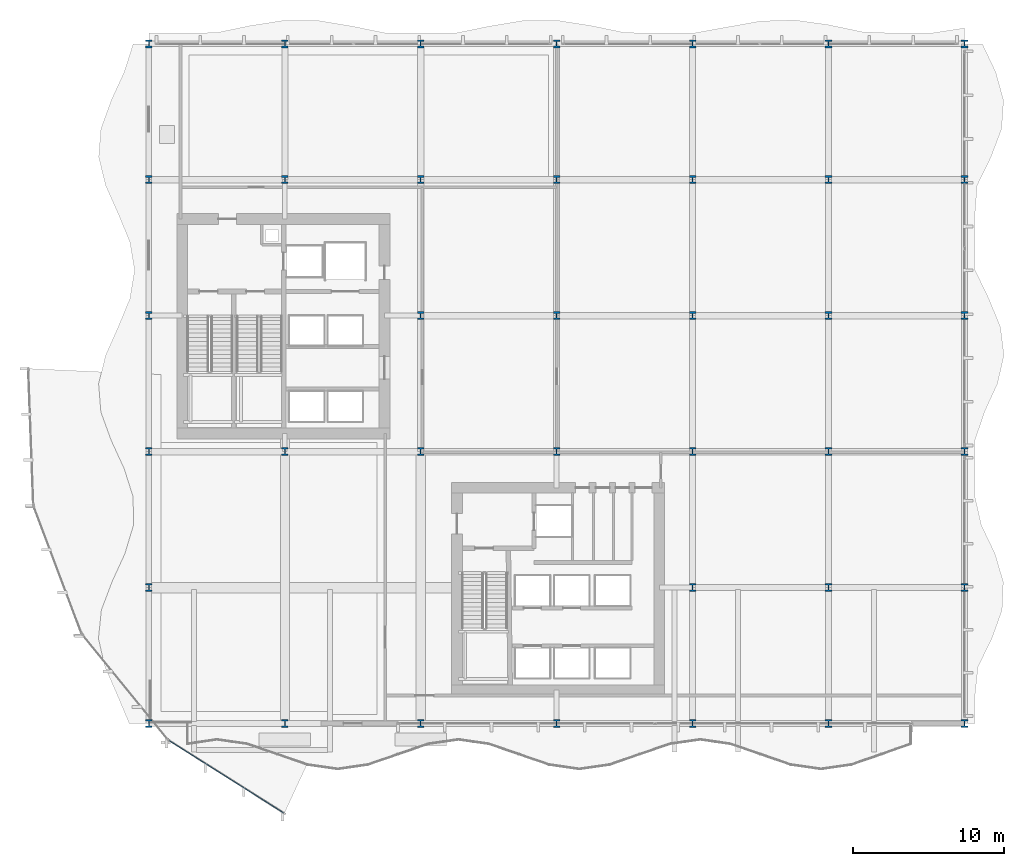
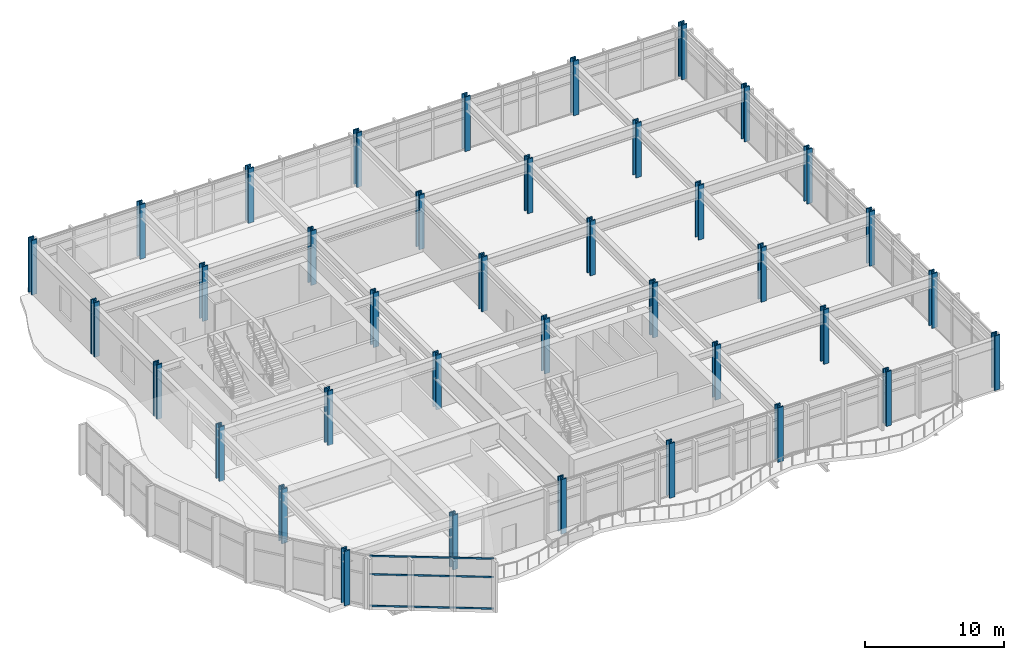
# One storey, part 1 of 31: 38 columns, 3 members, 1 element without a shape of its own.
"""IFC4 building model written with IfcOpenShell, lengths in metres."""

from ifc_helpers import new_model, si_unit, direction, frame, origin, origin_2d, place, context, subcontext, project, spatial, hollow_rectangle, i_section, extrude, material, layer, layer_set, material_profile, profile_set, type_object, element, aggregate, save


model = new_model("IFC4")

# Units and contexts
model_context = context("Model", 3, precision=1e-05, world=origin(), true_north=direction((0.0, 1.0)))
body_context = subcontext(model_context, "Body", "Model", "MODEL_VIEW")
ifc_project = project(units=[si_unit("LENGTHUNIT", "METRE"), si_unit("AREAUNIT", "SQUARE_METRE"), si_unit("VOLUMEUNIT", "CUBIC_METRE"), si_unit("PLANEANGLEUNIT", "RADIAN"), si_unit("MASSUNIT", "GRAM", prefix="KILO")], contexts=[model_context])

# Site, building, storey
site_placement = place(None, origin())
site = spatial("IfcSite", under=ifc_project, at=site_placement, CompositionType="ELEMENT")
building_placement = place(site_placement, origin())
building = spatial("IfcBuilding", under=site, at=building_placement, Name="Solvaryn Broadcast Tower", CompositionType="ELEMENT")
storey_placement = place(building_placement, frame((0.0, 0.0, 26.0)))
storey = spatial("IfcBuildingStorey", under=building, at=storey_placement, Name="L05", CompositionType="ELEMENT", Elevation=26.0)

# Columns
ifc_material_1 = material(Name="Steel ASTM A913 Grade 65", Category="steel")
ifc_material_profile_1 = material_profile(ifc_material_1, i_section(OverallWidth=0.44189453125, OverallDepth=0.531005859375, WebThickness=0.06591796875, FlangeThickness=0.105712890625, FilletRadius=0.014892578125, at=origin_2d()))
ifc_profile_set_1 = profile_set([ifc_material_profile_1], Name="Steel ASTM A913 Grade 65")
column_type_1 = type_object("IfcColumnType", Name="COL-C02E-W14X605", PredefinedType="COLUMN", material=ifc_profile_set_1)
for number, where, z_axis, x_axis, name in (
    (1, (9.0, 9.0, 0.0), (0.0, 0.0, 1.0), (1.0, 0.0, 0.0), "L05 Column (9.0, 9.0)"),
    (2, (9.0, 18.0, 0.0), (0.0, 0.0, 1.0), (1.0, 0.0, 0.0), "L05 Column (9.0, 18.0)"),
    (3, (9.0, 27.0, 0.0), (0.0, 0.0, 1.0), (1.0, 0.0, 0.0), "L05 Column (9.0, 27.0)"),
    (4, (9.0, 36.0, 0.0), (0.0, 0.0, 1.0), (1.0, 0.0, 0.0), "L05 Column (9.0, 36.0)"),
    (5, (9.0, 45.0, 0.0), (0.0, 0.0, 1.0), (1.0, 0.0, 0.0), "L05 Column (9.0, 45.0)"),
    (6, (9.0, 54.0, 0.0), (0.0, 0.0, 1.0), (1.0, 0.0, 0.0), "L05 Column (9.0, 54.0)"),
    (7, (18.0, 9.0, 0.0), (0.0, 0.0, 1.0), (1.0, 0.0, 0.0), "L05 Column (18.0, 9.0)"),
    (8, (18.0, 54.0, 0.0), (0.0, 0.0, 1.0), (1.0, 0.0, 0.0), "L05 Column (18.0, 54.0)"),
    (9, (27.0, 9.0, 0.0), (0.0, 0.0, 1.0), (1.0, 0.0, 0.0), "L05 Column (27.0, 9.0)"),
    (10, (27.0, 54.0, 0.0), (0.0, 0.0, 1.0), (1.0, 0.0, 0.0), "L05 Column (27.0, 54.0)"),
    (11, (36.0, 9.0, 0.0), (0.0, 0.0, 1.0), (1.0, 0.0, 0.0), "L05 Column (36.0, 9.0)"),
    (12, (36.0, 54.0, 0.0), (0.0, 0.0, 1.0), (1.0, 0.0, 0.0), "L05 Column (36.0, 54.0)"),
    (13, (45.0, 9.0, 0.0), (0.0, 0.0, 1.0), (1.0, 0.0, 0.0), "L05 Column (45.0, 9.0)"),
    (14, (45.0, 54.0, 0.0), (0.0, 0.0, 1.0), (1.0, 0.0, 0.0), "L05 Column (45.0, 54.0)"),
    (15, (54.0, 9.0, 0.0), (0.0, 0.0, 1.0), (1.0, 0.0, 0.0), "L05 Column (54.0, 9.0)"),
    (16, (54.0, 54.0, 0.0), (0.0, 0.0, 1.0), (1.0, 0.0, 0.0), "L05 Column (54.0, 54.0)"),
    (17, (63.0, 9.0, 0.0), (0.0, 0.0, 1.0), (1.0, 0.0, 0.0), "L05 Column (63.0, 9.0)"),
    (18, (63.0, 18.0, 0.0), (0.0, 0.0, 1.0), (1.0, 0.0, 0.0), "L05 Column (63.0, 18.0)"),
    (19, (63.0, 27.0, 0.0), (0.0, 0.0, 1.0), (1.0, 0.0, 0.0), "L05 Column (63.0, 27.0)"),
    (20, (63.0, 36.0, 0.0), (0.0, 0.0, 1.0), (1.0, 0.0, 0.0), "L05 Column (63.0, 36.0)"),
    (21, (63.0, 45.0, 0.0), (0.0, 0.0, 1.0), (1.0, 0.0, 0.0), "L05 Column (63.0, 45.0)"),
    (22, (63.0, 54.0, 0.0), (0.0, 0.0, 1.0), (1.0, 0.0, 0.0), "L05 Column (63.0, 54.0)"),
):
    element("IfcColumn", number, at=place(storey_placement, frame(where, z_axis=z_axis, x_axis=x_axis)), inside=storey, type_object=column_type_1, Name=name, PredefinedType="COLUMN", context=body_context, shape_type="SweptSolid", body=[
        extrude(i_section(OverallWidth=0.44189453125, OverallDepth=0.531005859375, WebThickness=0.06591796875, FlangeThickness=0.105712890625, FilletRadius=0.014892578125, at=origin_2d()), origin(), (0.0, 0.0, 1.0), 4.800048828125),
    ])
ifc_material_2 = material(Name="Steel ASTM A913 Grade 65", Category="steel")
ifc_material_profile_2 = material_profile(ifc_material_2, i_section(OverallWidth=0.44189453125, OverallDepth=0.531005859375, WebThickness=0.06591796875, FlangeThickness=0.105712890625, FilletRadius=0.014892578125, at=origin_2d()))
ifc_profile_set_2 = profile_set([ifc_material_profile_2], Name="Steel ASTM A913 Grade 65")
column_type_2 = type_object("IfcColumnType", Name="COL-C02I-W14X605", PredefinedType="COLUMN", material=ifc_profile_set_2)
for number, where, z_axis, x_axis, name in (
    (23, (18.0, 27.0, 0.0), (0.0, 0.0, 1.0), (1.0, 0.0, 0.0), "L05 Column (18.0, 27.0)"),
    (24, (18.0, 45.0, 0.0), (0.0, 0.0, 1.0), (1.0, 0.0, 0.0), "L05 Column (18.0, 45.0)"),
    (25, (27.0, 27.0, 0.0), (0.0, 0.0, 1.0), (1.0, 0.0, 0.0), "L05 Column (27.0, 27.0)"),
    (26, (27.0, 36.0, 0.0), (0.0, 0.0, 1.0), (1.0, 0.0, 0.0), "L05 Column (27.0, 36.0)"),
    (27, (27.0, 45.0, 0.0), (0.0, 0.0, 1.0), (1.0, 0.0, 0.0), "L05 Column (27.0, 45.0)"),
    (28, (36.0, 27.0, 0.0), (0.0, 0.0, 1.0), (1.0, 0.0, 0.0), "L05 Column (36.0, 27.0)"),
    (29, (36.0, 36.0, 0.0), (0.0, 0.0, 1.0), (1.0, 0.0, 0.0), "L05 Column (36.0, 36.0)"),
    (30, (36.0, 45.0, 0.0), (0.0, 0.0, 1.0), (1.0, 0.0, 0.0), "L05 Column (36.0, 45.0)"),
    (31, (45.0, 18.0, 0.0), (0.0, 0.0, 1.0), (1.0, 0.0, 0.0), "L05 Column (45.0, 18.0)"),
    (32, (45.0, 27.0, 0.0), (0.0, 0.0, 1.0), (1.0, 0.0, 0.0), "L05 Column (45.0, 27.0)"),
    (33, (45.0, 36.0, 0.0), (0.0, 0.0, 1.0), (1.0, 0.0, 0.0), "L05 Column (45.0, 36.0)"),
    (34, (45.0, 45.0, 0.0), (0.0, 0.0, 1.0), (1.0, 0.0, 0.0), "L05 Column (45.0, 45.0)"),
    (35, (54.0, 18.0, 0.0), (0.0, 0.0, 1.0), (1.0, 0.0, 0.0), "L05 Column (54.0, 18.0)"),
    (36, (54.0, 27.0, 0.0), (0.0, 0.0, 1.0), (1.0, 0.0, 0.0), "L05 Column (54.0, 27.0)"),
    (37, (54.0, 36.0, 0.0), (0.0, 0.0, 1.0), (1.0, 0.0, 0.0), "L05 Column (54.0, 36.0)"),
    (38, (54.0, 45.0, 0.0), (0.0, 0.0, 1.0), (1.0, 0.0, 0.0), "L05 Column (54.0, 45.0)"),
):
    element("IfcColumn", number, at=place(storey_placement, frame(where, z_axis=z_axis, x_axis=x_axis)), inside=storey, type_object=column_type_2, Name=name, PredefinedType="COLUMN", context=body_context, shape_type="SweptSolid", body=[
        extrude(i_section(OverallWidth=0.44189453125, OverallDepth=0.531005859375, WebThickness=0.06591796875, FlangeThickness=0.105712890625, FilletRadius=0.014892578125, at=origin_2d()), origin(), (0.0, 0.0, 1.0), 4.800048828125),
    ])

# Curtain wall, members
ifc_material_3 = material(Name="Aluminium and Terracotta Unitised Curtain Wall", Category="masonry")
ifc_layer = layer(ifc_material_3, 0.219970703125)
ifc_layer_set = layer_set([ifc_layer], Name="CW-SYS1-PODIUM")
curtain_wall_type = type_object("IfcCurtainWallType", Name="CW-SYS1-PODIUM", PredefinedType="NOTDEFINED", material=ifc_layer_set)
curtain_wall_placement = place(storey_placement, origin())
curtain_wall = element("IfcCurtainWall", 39, at=curtain_wall_placement, inside=storey, type_object=curtain_wall_type, Name="L05 Podium Curtain Wall DC4", PredefinedType="NOTDEFINED")
ifc_material_4 = material(Name="Anodised Aluminium 6063-T6", Category="aluminium")
ifc_material_profile_3 = material_profile(ifc_material_4, hollow_rectangle(XDim=0.06494140625, YDim=0.14990234375, WallThickness=0.00390625, InnerFilletRadius=0.00390625, OuterFilletRadius=0.008056640625, at=origin_2d()))
ifc_profile_set_3 = profile_set([ifc_material_profile_3], Name="Anodised Aluminium 6063-T6")
member_type = type_object("IfcMemberType", Name="CW-TRN-150", PredefinedType="USERDEFINED", material=ifc_profile_set_3)
member_1_placement = place(storey_placement, frame((10.3466796875, 7.864013671875, 0.030029296875), z_axis=(0.845374249836, -0.534174482462, 0.0), x_axis=(0.534174482462, 0.845374249836, 0.0)))
member_1 = element("IfcMember", 40, at=member_1_placement, type_object=member_type, Name="CWS1 transom 1.1", ObjectType="TRANSOM", PredefinedType="USERDEFINED", context=body_context, shape_type="SweptSolid", body=[
    extrude(hollow_rectangle(XDim=0.06494140625, YDim=0.14990234375, WallThickness=0.00390625, InnerFilletRadius=0.00390625, OuterFilletRadius=0.008056640625, at=origin_2d()), origin(), (0.0, 0.0, 1.0), 8.95751953125),
])
member_2_placement = place(storey_placement, frame((10.3466796875, 7.864013671875, 2.800048828125), z_axis=(0.845374249836, -0.534174482462, 0.0), x_axis=(0.534174482462, 0.845374249836, 0.0)))
member_2 = element("IfcMember", 41, at=member_2_placement, type_object=member_type, Name="CWS1 transom 1.2", ObjectType="TRANSOM", PredefinedType="USERDEFINED", context=body_context, shape_type="SweptSolid", body=[
    extrude(hollow_rectangle(XDim=0.06494140625, YDim=0.14990234375, WallThickness=0.00390625, InnerFilletRadius=0.00390625, OuterFilletRadius=0.008056640625, at=origin_2d()), origin(), (0.0, 0.0, 1.0), 8.95751953125),
])
member_3_placement = place(storey_placement, frame((10.3466796875, 7.864013671875, 4.409912109375), z_axis=(0.845374249836, -0.534174482462, 0.0), x_axis=(0.534174482462, 0.845374249836, 0.0)))
member_3 = element("IfcMember", 42, at=member_3_placement, type_object=member_type, Name="CWS1 transom 1.3", ObjectType="TRANSOM", PredefinedType="USERDEFINED", context=body_context, shape_type="SweptSolid", body=[
    extrude(hollow_rectangle(XDim=0.06494140625, YDim=0.14990234375, WallThickness=0.00390625, InnerFilletRadius=0.00390625, OuterFilletRadius=0.008056640625, at=origin_2d()), origin(), (0.0, 0.0, 1.0), 8.95751953125),
])
aggregate(curtain_wall, [member_1, member_2, member_3])

save(model, "model.ifc")
